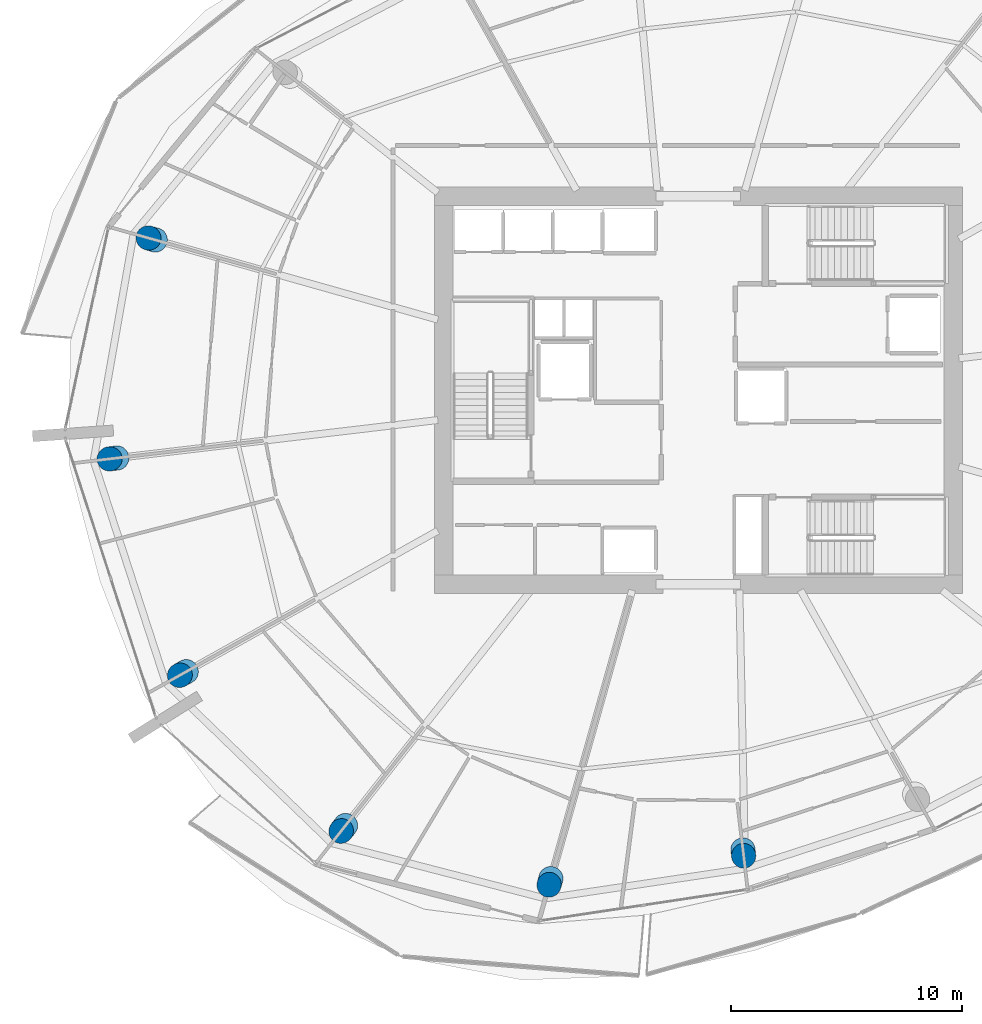
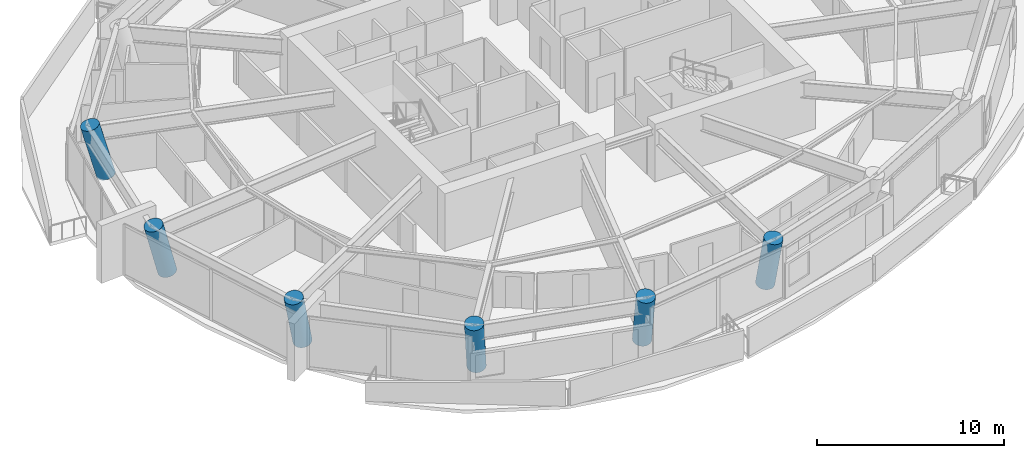
# One storey, part 1 of 19: 6 columns.
"""IFC4 building model written with IfcOpenShell, lengths in metres."""

from ifc_helpers import new_model, si_unit, direction, frame, origin, origin_2d, place, context, subcontext, project, spatial, circle, extrude, material, material_profile, profile_set, type_object, element, save


model = new_model("IFC4")

# Units and contexts
model_context = context("Model", 3, precision=1e-05, world=origin(), true_north=direction((0.0, 1.0)))
body_context = subcontext(model_context, "Body", "Model", "MODEL_VIEW")
ifc_project = project(units=[si_unit("LENGTHUNIT", "METRE"), si_unit("AREAUNIT", "SQUARE_METRE"), si_unit("VOLUMEUNIT", "CUBIC_METRE"), si_unit("PLANEANGLEUNIT", "RADIAN"), si_unit("MASSUNIT", "GRAM", prefix="KILO")], contexts=[model_context])

# Site, building, storey
site_placement = place(None, origin())
site = spatial("IfcSite", under=ifc_project, at=site_placement, CompositionType="ELEMENT")
building_placement = place(site_placement, origin())
building = spatial("IfcBuilding", under=site, at=building_placement, Name="Kazma Halo Residences", CompositionType="ELEMENT")
storey_placement = place(building_placement, frame((0.0, 0.0, 172.800048828125)))
storey = spatial("IfcBuildingStorey", under=building, at=storey_placement, Name="L43", CompositionType="ELEMENT", Elevation=172.800048828125)

# Columns
ifc_material = material(Name="Concrete C80/95", Category="concrete")
ifc_material_profile = material_profile(ifc_material, circle(Radius=0.52490234375, at=origin_2d()), Name="CIRC1050")
ifc_profile_set = profile_set([ifc_material_profile], Name="Concrete C80/95")
column_type = type_object("IfcColumnType", Name="COL-PERIM-1050", PredefinedType="COLUMN", material=ifc_profile_set)
column_1_placement = place(storey_placement, frame((24.93017578125, 48.50634765625, 0.0), z_axis=(-0.244990006617, 0.069070830404, 0.967062106095), x_axis=(-0.271354937393, -0.962479349364, 0.0)))
element("IfcColumn", 1, at=column_1_placement, inside=storey, type_object=column_type, Name="L43 perimeter ring column P07", PredefinedType="COLUMN", context=body_context, shape_type="SweptSolid", body=[
    extrude(circle(Radius=0.52490234375, at=origin_2d()), origin(), (0.0, 0.0, 1.0), 3.4638671875),
])
for number, where, z_axis, x_axis, name in (
    (2, (23.266845703125, 39.072509765625, 0.0), (-0.262003938986, -0.030931508761, 0.964570981173), (0.117243204304, -0.993103232823, 0.0), "L43 perimeter ring column P08"),
    (3, (26.269775390625, 29.83056640625, 0.0), (-0.230225969655, -0.128926543007, 0.964558940348), (0.488603368932, -0.87250601595, 0.0), "L43 perimeter ring column P09"),
):
    element("IfcColumn", number, at=place(storey_placement, frame(where, z_axis=z_axis, x_axis=x_axis)), inside=storey, type_object=column_type, Name=name, PredefinedType="COLUMN", context=body_context, shape_type="SweptSolid", body=[
        extrude(circle(Radius=0.52490234375, at=origin_2d()), origin(), (0.0, 0.0, 1.0), 3.472900390625),
    ])
column_2_placement = place(storey_placement, frame((33.160400390625, 23.17626953125, 0.0), z_axis=(-0.157594412331, -0.199882716176, 0.96706302844), x_axis=(0.785279521524, -0.619141399904, 0.0)))
element("IfcColumn", 4, at=column_2_placement, inside=storey, type_object=column_type, Name="L43 perimeter ring column P10", PredefinedType="COLUMN", context=body_context, shape_type="SweptSolid", body=[
    extrude(circle(Radius=0.52490234375, at=origin_2d()), origin(), (0.0, 0.0, 1.0), 3.4638671875),
])
column_3_placement = place(storey_placement, frame((42.04296875, 20.878173828125, 0.0), z_axis=(-0.063555421136, -0.225455239748, 0.972178298109), x_axis=(0.962488166983, -0.271323659894, 0.0)))
element("IfcColumn", 5, at=column_3_placement, inside=storey, type_object=column_type, Name="L43 perimeter ring column P11", PredefinedType="COLUMN", context=body_context, shape_type="SweptSolid", body=[
    extrude(circle(Radius=0.52490234375, at=origin_2d()), origin(), (0.0, 0.0, 1.0), 3.44580078125),
])
column_4_placement = place(storey_placement, frame((50.35302734375, 22.118896484375, 0.0), z_axis=(0.025269503228, -0.213189189208, 0.976684095197), x_axis=(0.993048379967, 0.117706903135, 0.0)))
element("IfcColumn", 6, at=column_4_placement, inside=storey, type_object=column_type, Name="L43 perimeter ring column P12", PredefinedType="COLUMN", context=body_context, shape_type="SweptSolid", body=[
    extrude(circle(Radius=0.52490234375, at=origin_2d()), origin(), (0.0, 0.0, 1.0), 3.429931640625),
])

save(model, "model.ifc")
